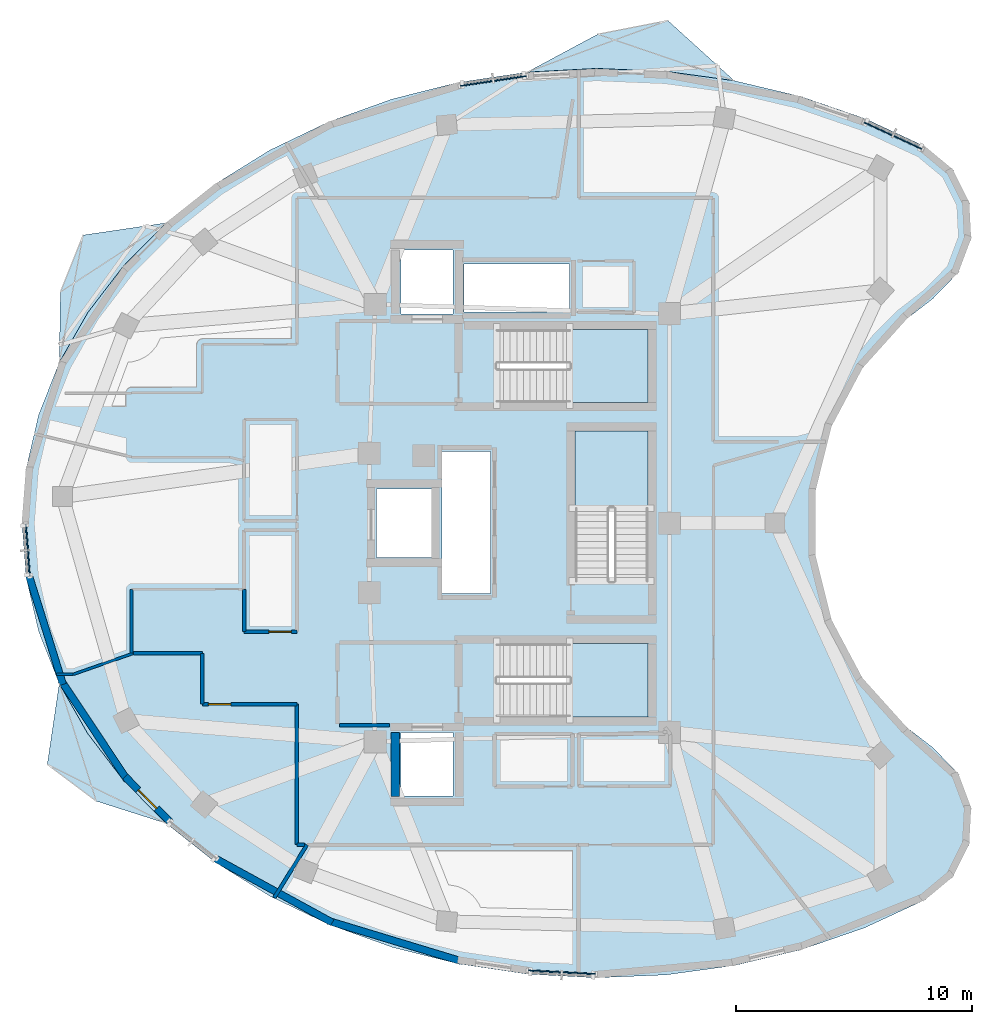
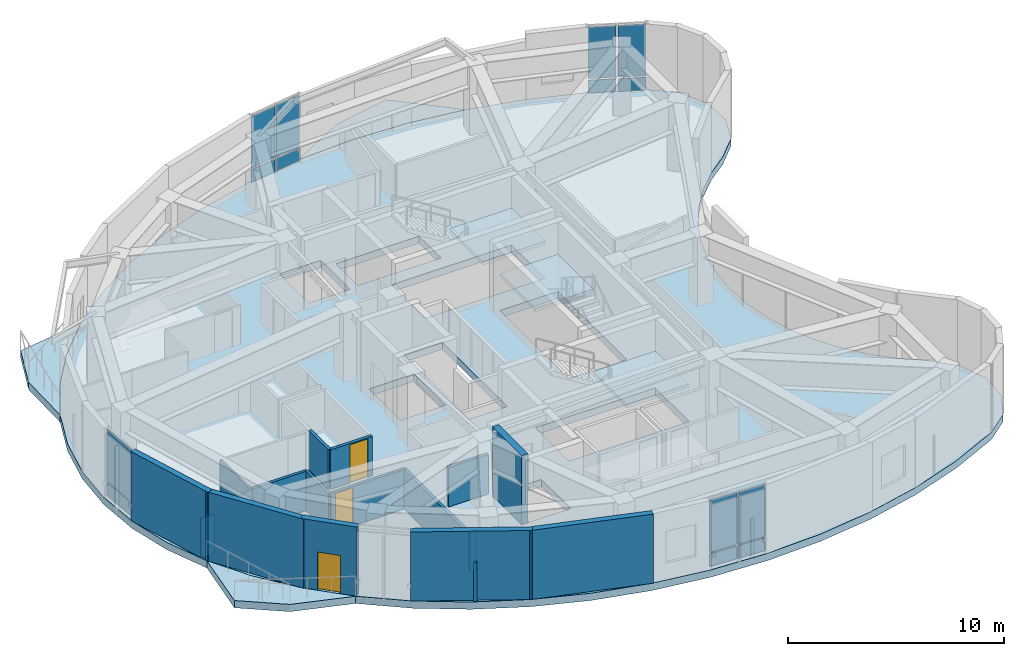
# One storey, part 5 of 12: 18 walls, 14 plates, 7 slabs, 3 doors, 3 openings, 7 elements without a shape of their own.
"""IFC4 building model written with IfcOpenShell, lengths in metres."""

import ifcopenshell
import ifcopenshell.guid

model = None  # the IFC model being written
_history = None  # IfcOwnerHistory: only IFC2X3 demands one
_inside = {}  # id of a spatial element -> (the spatial element, [elements in it])
_under = {}  # id of a project, library or spatial element -> (it, [spatial elements below it])
_declared = {}  # id of a project -> (the project, [libraries it declares])
_typed = {}  # id of a type object -> (the type object, [elements of that type])
_made_of = {}  # id of a material, layer set ... -> (it, [elements and type objects made of it])


def new_model(schema):
    """Start an empty IFC model of exactly this schema.

    Asked for "IFC4X3", IfcOpenShell would pick the latest addendum, in which some entities
    have other attributes; the version numbers below select the first issue.
    IFC2X3 requires an IfcOwnerHistory on every rooted entity: one is made here for all.
    """
    global model, _history
    if schema == "IFC4X3":
        model = ifcopenshell.file(schema_version=(4, 3, 0, 0))
    else:
        model = ifcopenshell.file(schema=schema)
    _inside.clear()
    _under.clear()
    _declared.clear()
    _typed.clear()
    _made_of.clear()
    _history = None
    if model.schema == "IFC2X3":
        org = make("IfcOrganization", Name="unknown")
        user = make(
            "IfcPersonAndOrganization",
            ThePerson=make("IfcPerson", FamilyName="unknown"),
            TheOrganization=org,
        )
        app = make(
            "IfcApplication",
            ApplicationDeveloper=org,
            Version="unknown",
            ApplicationFullName="unknown",
            ApplicationIdentifier="unknown",
        )
        _history = make(
            "IfcOwnerHistory",
            OwningUser=user,
            OwningApplication=app,
            ChangeAction="ADDED",
            CreationDate=0,
        )
    return model


def make(cls, **values):
    """One entity of the class cls with the attributes given. An attribute that is None is left unset."""
    return model.create_entity(
        cls, **{name: value for name, value in values.items() if value is not None}
    )


def rooted(cls, **values):
    """An entity with a GlobalId (a new one), such as an element, a storey or a relation."""
    return make(cls, GlobalId=ifcopenshell.guid.new(), OwnerHistory=_history, **values)


def si_unit(unit_type, name, prefix=None):
    """IfcSIUnit, for example si_unit("LENGTHUNIT", "METRE", prefix="MILLI")."""
    return make("IfcSIUnit", UnitType=unit_type, Prefix=prefix, Name=name)


def assignment(units):
    """IfcUnitAssignment: the units of a project."""
    return None if units is None else make("IfcUnitAssignment", Units=units)


def point(xyz):
    """IfcCartesianPoint."""
    return None if xyz is None else make("IfcCartesianPoint", Coordinates=xyz)


def direction(xyz):
    """IfcDirection."""
    return None if xyz is None else make("IfcDirection", DirectionRatios=xyz)


def frame(location, z_axis=None, x_axis=None):
    """IfcAxis2Placement3D, a coordinate frame: its origin and axes. An axis left out is left unset."""
    return make(
        "IfcAxis2Placement3D",
        Location=point(location),
        Axis=direction(z_axis),
        RefDirection=direction(x_axis),
    )


def frame_2d(location, x_axis=None):
    """IfcAxis2Placement2D, a coordinate frame in the plane: its origin and x axis."""
    return make(
        "IfcAxis2Placement2D", Location=point(location), RefDirection=direction(x_axis)
    )


def origin():
    """The frame at (0, 0, 0) with its axes left unset."""
    return frame((0.0, 0.0, 0.0))


def origin_2d():
    """The frame at (0, 0) in the plane with its x axis left unset."""
    return frame_2d((0.0, 0.0))


def place(relative_to, where):
    """IfcLocalPlacement: puts the frame where relative to a parent placement (None: the world)."""
    return make(
        "IfcLocalPlacement", PlacementRelTo=relative_to, RelativePlacement=where
    )


def context(
    kind, dimensions, precision=None, world=None, true_north=None, identifier=None
):
    """IfcGeometricRepresentationContext, for example the 3D "Model" context."""
    return make(
        "IfcGeometricRepresentationContext",
        ContextIdentifier=identifier,
        ContextType=kind,
        CoordinateSpaceDimension=dimensions,
        Precision=precision,
        WorldCoordinateSystem=world,
        TrueNorth=true_north,
    )


def subcontext(parent, identifier, kind, view, scale=None):
    """IfcGeometricRepresentationSubContext, for example "Body" below "Model"."""
    return make(
        "IfcGeometricRepresentationSubContext",
        ContextIdentifier=identifier,
        ContextType=kind,
        ParentContext=parent,
        TargetScale=scale,
        TargetView=view,
    )


def project(units=None, contexts=None):
    """IfcProject with its units and contexts."""
    return rooted(
        "IfcProject",
        Name="project",
        RepresentationContexts=contexts,
        UnitsInContext=assignment(units),
    )


def spatial(cls, under=None, at=None, **own):
    """A site, building, storey or space (cls), placed at a placement, below another one or the project."""
    s = rooted(cls, ObjectPlacement=at, **own)
    if under is not None:
        _under.setdefault(under.id(), (under, []))[1].append(s)
    return s


def polyline(points):
    """IfcPolyline through the points."""
    return make("IfcPolyline", Points=[point(p) for p in points])


def profile(cls, at=None, kind="AREA", **sizes):
    """A parametric profile (cls). Its sizes go by their IFC names, for example OverallWidth=200.0."""
    return make(cls, ProfileType=kind, Position=at, **sizes)


def rectangle(**sizes):
    """IfcRectangleProfileDef."""
    return profile("IfcRectangleProfileDef", **sizes)


def outline(outer, holes=None, kind="AREA"):
    """IfcArbitraryClosedProfileDef: a profile drawn as a closed curve; with holes, ...WithVoids."""
    if holes is None:
        return make("IfcArbitraryClosedProfileDef", ProfileType=kind, OuterCurve=outer)
    return make(
        "IfcArbitraryProfileDefWithVoids",
        ProfileType=kind,
        OuterCurve=outer,
        InnerCurves=holes,
    )


def extrude(swept, where, along, depth):
    """IfcExtrudedAreaSolid: the profile swept, set in the frame where, extruded along a direction by depth."""
    return make(
        "IfcExtrudedAreaSolid",
        SweptArea=swept,
        Position=where,
        ExtrudedDirection=direction(along),
        Depth=depth,
    )


def shape(context_of_items, identifier, shape_type, items):
    """IfcShapeRepresentation: the items that make up one representation, for example the "Body"."""
    return make(
        "IfcShapeRepresentation",
        ContextOfItems=context_of_items,
        RepresentationIdentifier=identifier,
        RepresentationType=shape_type,
        Items=items,
    )


def material(Name=None, Category=None):
    """IfcMaterial."""
    return make("IfcMaterial", Name=Name, Category=Category)


def layer(
    of_material, thickness, ventilated=None, Name=None, Category=None, Priority=None
):
    """IfcMaterialLayer: one layer of a wall or slab, of a material (None: an air gap)."""
    return make(
        "IfcMaterialLayer",
        Material=of_material,
        LayerThickness=thickness,
        IsVentilated=ventilated,
        Name=Name,
        Category=Category,
        Priority=Priority,
    )


def layer_set(layers, Name=None):
    """IfcMaterialLayerSet."""
    return make("IfcMaterialLayerSet", MaterialLayers=layers, LayerSetName=Name)


def made_of(thing, what):
    """Note that an element or type object is made of a material, layer set ...; save() writes the relation."""
    if what is not None:
        _made_of.setdefault(what.id(), (what, []))[1].append(thing)
    return thing


def type_object(cls, material=None, **own):
    """A type object (cls), such as IfcWallType, which elements share."""
    return made_of(rooted(cls, **own), material)


def element(
    cls,
    number,
    at=None,
    inside=None,
    cuts=None,
    type_object=None,
    material=None,
    context=None,
    identifier="Body",
    shape_type=None,
    held_by="IfcProductDefinitionShape",
    body=None,
    shapes=None,
    **own,
):
    """One element of the class cls, such as IfcWall. Its Tag is "e" and its number.

    at: its placement. inside: the storey or other place that contains it. cuts: it is an
    opening in that element (IfcRelVoidsElement). A single representation is given by context,
    identifier, shape_type and body (its items); several are given by shapes. held_by: the class
    of the entity that holds the representations. save() writes the other relations.
    """
    e = rooted(cls, Tag="e%d" % number, ObjectPlacement=at, **own)
    if body is not None:
        shapes = [shape(context, identifier, shape_type, body)]
    if shapes is not None:
        e.Representation = make(held_by, Representations=shapes)
    if inside is not None:
        _inside.setdefault(inside.id(), (inside, []))[1].append(e)
    if cuts is not None:
        rooted(
            "IfcRelVoidsElement", RelatingBuildingElement=cuts, RelatedOpeningElement=e
        )
    if type_object is not None:
        _typed.setdefault(type_object.id(), (type_object, []))[1].append(e)
    return made_of(e, material)


def fill(opening, filler):
    """IfcRelFillsElement: the door or window that sits in an opening."""
    return rooted(
        "IfcRelFillsElement",
        RelatingOpeningElement=opening,
        RelatedBuildingElement=filler,
    )


def aggregate(whole, parts):
    """IfcRelAggregates: a whole, such as a stair, and the parts it consists of."""
    return rooted("IfcRelAggregates", RelatingObject=whole, RelatedObjects=parts)


def save(model, path):
    """Write the relations noted so far, then the file.

    IfcRelAggregates (storeys below a building ...), IfcRelContainedInSpatialStructure (elements
    in a storey), IfcRelDefinesByType, IfcRelAssociatesMaterial and IfcRelDeclares: one each for
    every whole, place, type object, material and project.
    """
    for whole, parts in _under.values():
        aggregate(whole, parts)
    for where, things in _inside.values():
        rooted(
            "IfcRelContainedInSpatialStructure",
            RelatedElements=things,
            RelatingStructure=where,
        )
    for kind, things in _typed.values():
        rooted("IfcRelDefinesByType", RelatedObjects=things, RelatingType=kind)
    for what, things in _made_of.values():
        rooted("IfcRelAssociatesMaterial", RelatedObjects=things, RelatingMaterial=what)
    for by, libraries in _declared.values():
        rooted("IfcRelDeclares", RelatingContext=by, RelatedDefinitions=libraries)
    model.write(path)


model = new_model("IFC4")

# Units and contexts
model_context = context("Model", 3, precision=1e-05, world=origin(), true_north=direction((0.0, 1.0)))
body_context = subcontext(model_context, "Body", "Model", "MODEL_VIEW")
ifc_project = project(units=[si_unit("LENGTHUNIT", "METRE"), si_unit("AREAUNIT", "SQUARE_METRE"), si_unit("VOLUMEUNIT", "CUBIC_METRE"), si_unit("PLANEANGLEUNIT", "RADIAN"), si_unit("MASSUNIT", "GRAM", prefix="KILO")], contexts=[model_context])

# Site, building, storey
site_placement = place(None, origin())
site = spatial("IfcSite", under=ifc_project, at=site_placement, CompositionType="ELEMENT")
building_placement = place(site_placement, origin())
building = spatial("IfcBuilding", under=site, at=building_placement, Name="Korentha Bioscience Tower", CompositionType="ELEMENT")
storey_placement = place(building_placement, frame((0.0, 0.0, 286.800048828125)))
storey = spatial("IfcBuildingStorey", under=building, at=storey_placement, Name="L66", CompositionType="ELEMENT", Elevation=286.800048828125)

# Curtain wall, plates
ifc_material_1 = material(Name="Thermally Broken Aluminium Frame", Category="aluminium")
ifc_layer_1 = layer(ifc_material_1, 0.219970703125, Name="Thermally Broken Aluminium Frame")
ifc_layer_set_1 = layer_set([ifc_layer_1], Name="Thermally Broken Aluminium Frame (CW-T2)")
curtain_wall_type = type_object("IfcCurtainWallType", Name="Solar-Screened Lab Unitised Curtain Wall CW-T2", PredefinedType="USERDEFINED", material=ifc_layer_set_1)
curtain_wall_1_placement = place(storey_placement, origin())
curtain_wall_1 = element("IfcCurtainWall", 1, at=curtain_wall_1_placement, inside=storey, type_object=curtain_wall_type, Name="L66 Curtain Wall 01", ObjectType="UNITISED", PredefinedType="USERDEFINED")
ifc_material_2 = material(Name="Triple-Glazed Low-E Insulated Glass", Category="glass")
ifc_layer_2 = layer(ifc_material_2, 0.0439453125, Name="Triple-Glazed Low-E Insulated Glass")
ifc_layer_set_2 = layer_set([ifc_layer_2], Name="Triple-Glazed Low-E Insulated Glass (GL-44)")
plate_type = type_object("IfcPlateType", Name="Glazed Panel 44mm", PredefinedType="CURTAIN_PANEL", material=ifc_layer_set_2)
plate_1_placement = place(storey_placement, frame((47.63330078125, 43.09521484375, 0.08984375), z_axis=(0.0, 0.0, 1.0), x_axis=(-0.907204022278, 0.420690934016, 0.0)))
plate_1 = element("IfcPlate", 2, at=plate_1_placement, type_object=plate_type, Name="CW-L66-01 Bay 1 Glazed Panel 1", PredefinedType="CURTAIN_PANEL", context=body_context, shape_type="SweptSolid", body=[
    extrude(rectangle(XDim=1.301513671875, YDim=0.0439453125, at=origin_2d()), origin(), (0.0, 0.0, 1.0), 0.715087890625),
])
plate_2_placement = place(storey_placement, frame((47.63330078125, 43.09521484375, 0.89501953125), z_axis=(0.0, 0.0, 1.0), x_axis=(-0.907204022278, 0.420690934016, 0.0)))
plate_2 = element("IfcPlate", 3, at=plate_2_placement, type_object=plate_type, Name="CW-L66-01 Bay 1 Glazed Panel 2", PredefinedType="CURTAIN_PANEL", context=body_context, shape_type="SweptSolid", body=[
    extrude(rectangle(XDim=1.301513671875, YDim=0.0439453125, at=origin_2d()), origin(), (0.0, 0.0, 1.0), 2.9150390625),
])
plate_3_placement = place(storey_placement, frame((46.37109375, 43.6806640625, 0.08984375), z_axis=(0.0, 0.0, 1.0), x_axis=(-0.907204022278, 0.420690934016, 0.0)))
plate_3 = element("IfcPlate", 4, at=plate_3_placement, type_object=plate_type, Name="CW-L66-01 Bay 2 Glazed Panel 1", PredefinedType="CURTAIN_PANEL", context=body_context, shape_type="SweptSolid", body=[
    extrude(rectangle(XDim=1.301513671875, YDim=0.0439453125, at=origin_2d()), origin(), (0.0, 0.0, 1.0), 0.715087890625),
])
plate_4_placement = place(storey_placement, frame((46.37109375, 43.6806640625, 0.89501953125), z_axis=(0.0, 0.0, 1.0), x_axis=(-0.907204022278, 0.420690934016, 0.0)))
plate_4 = element("IfcPlate", 5, at=plate_4_placement, type_object=plate_type, Name="CW-L66-01 Bay 2 Glazed Panel 2", PredefinedType="CURTAIN_PANEL", context=body_context, shape_type="SweptSolid", body=[
    extrude(rectangle(XDim=1.301513671875, YDim=0.0439453125, at=origin_2d()), origin(), (0.0, 0.0, 1.0), 2.9150390625),
])
aggregate(curtain_wall_1, [plate_1, plate_2, plate_3, plate_4])

curtain_wall_2_placement = place(storey_placement, origin())
curtain_wall_2 = element("IfcCurtainWall", 6, at=curtain_wall_2_placement, inside=storey, type_object=curtain_wall_type, Name="L66 Curtain Wall 07", ObjectType="UNITISED", PredefinedType="USERDEFINED")
plate_5_placement = place(storey_placement, frame((30.817138671875, 45.81005859375, 0.08984375), z_axis=(0.0, 0.0, 1.0), x_axis=(-0.98900659611, -0.147871406471, 0.0)))
plate_5 = element("IfcPlate", 7, at=plate_5_placement, type_object=plate_type, Name="CW-L66-07 Bay 1 Glazed Panel 1", PredefinedType="CURTAIN_PANEL", context=body_context, shape_type="SweptSolid", body=[
    extrude(rectangle(XDim=1.3662109375, YDim=0.0439453125, at=origin_2d()), origin(), (0.0, 0.0, 1.0), 0.715087890625),
])
plate_6_placement = place(storey_placement, frame((30.817138671875, 45.81005859375, 0.89501953125), z_axis=(0.0, 0.0, 1.0), x_axis=(-0.98900659611, -0.147871406471, 0.0)))
plate_6 = element("IfcPlate", 8, at=plate_6_placement, type_object=plate_type, Name="CW-L66-07 Bay 1 Glazed Panel 2", PredefinedType="CURTAIN_PANEL", context=body_context, shape_type="SweptSolid", body=[
    extrude(rectangle(XDim=1.3662109375, YDim=0.0439453125, at=origin_2d()), origin(), (0.0, 0.0, 1.0), 2.9150390625),
])
plate_7_placement = place(storey_placement, frame((29.376953125, 45.5947265625, 0.08984375), z_axis=(0.0, 0.0, 1.0), x_axis=(-0.98900659611, -0.147871406471, 0.0)))
plate_7 = element("IfcPlate", 9, at=plate_7_placement, type_object=plate_type, Name="CW-L66-07 Bay 2 Glazed Panel 1", PredefinedType="CURTAIN_PANEL", context=body_context, shape_type="SweptSolid", body=[
    extrude(rectangle(XDim=1.3662109375, YDim=0.0439453125, at=origin_2d()), origin(), (0.0, 0.0, 1.0), 0.715087890625),
])
plate_8_placement = place(storey_placement, frame((29.376953125, 45.5947265625, 0.89501953125), z_axis=(0.0, 0.0, 1.0), x_axis=(-0.98900659611, -0.147871406471, 0.0)))
plate_8 = element("IfcPlate", 10, at=plate_8_placement, type_object=plate_type, Name="CW-L66-07 Bay 2 Glazed Panel 2", PredefinedType="CURTAIN_PANEL", context=body_context, shape_type="SweptSolid", body=[
    extrude(rectangle(XDim=1.3662109375, YDim=0.0439453125, at=origin_2d()), origin(), (0.0, 0.0, 1.0), 2.9150390625),
])
aggregate(curtain_wall_2, [plate_5, plate_6, plate_7, plate_8])

curtain_wall_3_placement = place(storey_placement, origin())
curtain_wall_3 = element("IfcCurtainWall", 11, at=curtain_wall_3_placement, inside=storey, type_object=curtain_wall_type, Name="L66 Curtain Wall 19", ObjectType="UNITISED", PredefinedType="USERDEFINED")
plate_9_placement = place(storey_placement, frame((10.406005859375, 25.858642578125, 0.08984375), z_axis=(0.0, 0.0, 1.0), x_axis=(0.076447323916, -0.997073621487, 0.0)))
plate_9 = element("IfcPlate", 12, at=plate_9_placement, type_object=plate_type, Name="CW-L66-19 Bay 1 Glazed Panel 1", PredefinedType="CURTAIN_PANEL", context=body_context, shape_type="SweptSolid", body=[
    extrude(rectangle(XDim=2.2138671875, YDim=0.0439453125, at=origin_2d()), origin(), (0.0, 0.0, 1.0), 0.715087890625),
])
plate_10_placement = place(storey_placement, frame((10.406005859375, 25.858642578125, 0.89501953125), z_axis=(0.0, 0.0, 1.0), x_axis=(0.076447323916, -0.997073621487, 0.0)))
plate_10 = element("IfcPlate", 13, at=plate_10_placement, type_object=plate_type, Name="CW-L66-19 Bay 1 Glazed Panel 2", PredefinedType="CURTAIN_PANEL", context=body_context, shape_type="SweptSolid", body=[
    extrude(rectangle(XDim=2.2138671875, YDim=0.0439453125, at=origin_2d()), origin(), (0.0, 0.0, 1.0), 2.9150390625),
])
aggregate(curtain_wall_3, [plate_9, plate_10])

curtain_wall_4_placement = place(storey_placement, origin())
curtain_wall_4 = element("IfcCurtainWall", 14, at=curtain_wall_4_placement, inside=storey, type_object=curtain_wall_type, Name="L66 Curtain Wall 31", ObjectType="UNITISED", PredefinedType="USERDEFINED")
plate_11_placement = place(storey_placement, frame((32.263427734375, 8.043701171875, 0.08984375), z_axis=(0.0, 0.0, 1.0), x_axis=(0.998579324855, -0.053285382345, 0.0)))
plate_11 = element("IfcPlate", 15, at=plate_11_placement, type_object=plate_type, Name="CW-L66-31 Bay 1 Glazed Panel 1", PredefinedType="CURTAIN_PANEL", context=body_context, shape_type="SweptSolid", body=[
    extrude(rectangle(XDim=1.374755859375, YDim=0.0439453125, at=origin_2d()), origin(), (0.0, 0.0, 1.0), 0.715087890625),
])
plate_12_placement = place(storey_placement, frame((32.263427734375, 8.043701171875, 0.89501953125), z_axis=(0.0, 0.0, 1.0), x_axis=(0.998579324855, -0.053285382345, 0.0)))
plate_12 = element("IfcPlate", 16, at=plate_12_placement, type_object=plate_type, Name="CW-L66-31 Bay 1 Glazed Panel 2", PredefinedType="CURTAIN_PANEL", context=body_context, shape_type="SweptSolid", body=[
    extrude(rectangle(XDim=1.374755859375, YDim=0.0439453125, at=origin_2d()), origin(), (0.0, 0.0, 1.0), 2.9150390625),
])
plate_13_placement = place(storey_placement, frame((33.726318359375, 7.9658203125, 0.08984375), z_axis=(0.0, 0.0, 1.0), x_axis=(0.998579324855, -0.053285382345, 0.0)))
plate_13 = element("IfcPlate", 17, at=plate_13_placement, type_object=plate_type, Name="CW-L66-31 Bay 2 Glazed Panel 1", PredefinedType="CURTAIN_PANEL", context=body_context, shape_type="SweptSolid", body=[
    extrude(rectangle(XDim=1.374755859375, YDim=0.0439453125, at=origin_2d()), origin(), (0.0, 0.0, 1.0), 0.715087890625),
])
plate_14_placement = place(storey_placement, frame((33.726318359375, 7.9658203125, 0.89501953125), z_axis=(0.0, 0.0, 1.0), x_axis=(0.998579324855, -0.053285382345, 0.0)))
plate_14 = element("IfcPlate", 18, at=plate_14_placement, type_object=plate_type, Name="CW-L66-31 Bay 2 Glazed Panel 2", PredefinedType="CURTAIN_PANEL", context=body_context, shape_type="SweptSolid", body=[
    extrude(rectangle(XDim=1.374755859375, YDim=0.0439453125, at=origin_2d()), origin(), (0.0, 0.0, 1.0), 2.9150390625),
])
aggregate(curtain_wall_4, [plate_11, plate_12, plate_13, plate_14])

# Slabs
ifc_material_3 = material(Name="Concrete C50", Category="concrete")
ifc_layer_3 = layer(ifc_material_3, 0.409912109375, Name="Concrete C50")
ifc_layer_set_3 = layer_set([ifc_layer_3], Name="Concrete C50 (BS-410)")
slab_type_1 = type_object("IfcSlabType", Name="Heavy Sawtooth Sun-Ledge Balcony Slab 410", PredefinedType="USERDEFINED", material=ifc_layer_set_3)
slab_1_placement = place(storey_placement, frame((0.0, 0.0, -0.41015625)))
element("IfcSlab", 19, at=slab_1_placement, inside=storey, type_object=slab_type_1, Name="L66 Sun-Ledge Balcony 01", ObjectType="BALCONY", PredefinedType="USERDEFINED", context=body_context, shape_type="SweptSolid", body=[
    extrude(outline(polyline([(31.5185546875, 46.07666015625), (34.4541015625, 46.2333984375), (37.392333984375, 46.112548828125), (40.291015625, 45.715576171875), (37.480712890625, 48.2607421875), (34.513916015625, 47.68212890625), (31.5185546875, 46.07666015625)])), origin(), (0.0, 0.0, 1.0), 0.41015625),
])
slab_2_placement = place(storey_placement, frame((0.0, 0.0, -0.41015625)))
element("IfcSlab", 20, at=slab_2_placement, inside=storey, type_object=slab_type_1, Name="L66 Sun-Ledge Balcony 02", ObjectType="BALCONY", PredefinedType="USERDEFINED", context=body_context, shape_type="SweptSolid", body=[
    extrude(outline(polyline([(11.733642578125, 33.788330078125), (12.935546875, 35.897705078125), (14.450927734375, 37.87890625), (16.258056640625, 39.702880859375), (12.743408203125, 39.185302734375), (11.783935546875, 36.77880859375), (11.733642578125, 33.788330078125)])), origin(), (0.0, 0.0, 1.0), 0.41015625),
])
slab_3_placement = place(storey_placement, frame((0.0, 0.0, -0.41015625)))
element("IfcSlab", 21, at=slab_3_placement, inside=storey, type_object=slab_type_1, Name="L66 Sun-Ledge Balcony 03", ObjectType="BALCONY", PredefinedType="USERDEFINED", context=body_context, shape_type="SweptSolid", body=[
    extrude(outline(polyline([(16.258056640625, 14.297119140625), (14.450927734375, 16.12109375), (12.935546875, 18.102294921875), (11.733642578125, 20.211669921875), (11.227783203125, 16.7958984375), (13.29931640625, 15.239990234375), (16.258056640625, 14.297119140625)])), origin(), (0.0, 0.0, 1.0), 0.41015625),
])
ifc_material_4 = material(Name="Concrete C65", Category="concrete")
ifc_layer_4 = layer(ifc_material_4, 0.409912109375, Name="Concrete C65")
ifc_layer_set_4 = layer_set([ifc_layer_4], Name="Concrete C65 (SL-L410)")
slab_type_2 = type_object("IfcSlabType", Name="Heavy Vibration-Controlled Lab Slab 410", PredefinedType="FLOOR", material=ifc_layer_set_4)
slab_4_placement = place(storey_placement, frame((0.0, 0.0, -0.41015625)))
element("IfcSlab", 22, at=slab_4_placement, inside=storey, type_object=slab_type_2, Name="L66 Tower Structural Floor Slab", PredefinedType="FLOOR", context=body_context, shape_type="SweptSolid", body=[
    extrude(outline(polyline([(48.33642578125, 42.94580078125), (45.802734375, 44.12060546875), (43.10791015625, 45.04833984375), (40.291015625, 45.715576171875), (37.392333984375, 46.112548828125), (34.4541015625, 46.2333984375), (31.5185546875, 46.07666015625), (28.628173828125, 45.64453125), (25.82470703125, 44.943115234375), (23.1484375, 43.982666015625), (20.63818359375, 42.77685546875), (18.330322265625, 41.343505859375), (16.258056640625, 39.702880859375), (14.450927734375, 37.87890625), (12.935546875, 35.897705078125), (11.733642578125, 33.788330078125), (10.862548828125, 31.580810546875), (10.334716796875, 29.306884765625), (10.157958984375, 27.0), (10.334716796875, 24.693115234375), (10.862548828125, 22.419189453125), (11.733642578125, 20.211669921875), (12.935546875, 18.102294921875), (14.450927734375, 16.12109375), (16.258056640625, 14.297119140625), (18.330322265625, 12.656494140625), (20.63818359375, 11.22314453125), (23.1484375, 10.017333984375), (25.82470703125, 9.056884765625), (28.628173828125, 8.35546875), (31.5185546875, 7.92333984375), (34.4541015625, 7.7666015625), (37.392333984375, 7.887451171875), (40.291015625, 8.284423828125), (43.10791015625, 8.95166015625), (45.802734375, 9.87939453125), (48.33642578125, 11.05419921875), (49.524169921875, 12.041259765625), (50.216796875, 13.421142578125), (50.298828125, 14.96337890625), (49.756103515625, 16.408935546875), (48.6796875, 17.51611328125), (47.57177734375, 18.366455078125), (46.575439453125, 19.345458984375), (45.7060546875, 20.438720703125), (44.976318359375, 21.62939453125), (44.39697265625, 22.900390625), (43.97705078125, 24.232421875), (43.722412109375, 25.60595703125), (43.63720703125, 27.0), (43.722412109375, 28.39404296875), (43.97705078125, 29.767578125), (44.39697265625, 31.099609375), (44.976318359375, 32.37060546875), (45.7060546875, 33.561279296875), (46.575439453125, 34.654541015625), (47.57177734375, 35.633544921875), (48.6796875, 36.48388671875), (49.756103515625, 37.591064453125), (50.298828125, 39.03662109375), (50.216796875, 40.578857421875), (49.524169921875, 41.958740234375), (48.33642578125, 42.94580078125)]), holes=[polyline([(30.25, 32.10009765625), (36.64990234375, 32.10009765625), (36.64990234375, 35.199951171875), (30.25, 35.199951171875), (30.25, 32.10009765625)]), polyline([(30.25, 18.800048828125), (36.64990234375, 18.800048828125), (36.64990234375, 21.89990234375), (30.25, 21.89990234375), (30.25, 18.800048828125)]), polyline([(36.64990234375, 24.550048828125), (36.64990234375, 30.89990234375), (33.550048828125, 30.89990234375), (33.550048828125, 24.550048828125), (36.64990234375, 24.550048828125)]), polyline([(27.929931640625, 24.030029296875), (29.969970703125, 24.030029296875), (29.969970703125, 30.02001953125), (27.929931640625, 30.02001953125), (27.929931640625, 24.030029296875)]), polyline([(28.860107421875, 35.93994140625), (33.31005859375, 35.93994140625), (33.31005859375, 37.9599609375), (28.860107421875, 37.9599609375), (28.860107421875, 35.93994140625)]), polyline([(26.199951171875, 15.449951171875), (28.39990234375, 15.449951171875), (28.39990234375, 18.14990234375), (26.199951171875, 18.14990234375), (26.199951171875, 15.449951171875)]), polyline([(26.199951171875, 35.85009765625), (28.39990234375, 35.85009765625), (28.39990234375, 38.550048828125), (26.199951171875, 38.550048828125), (26.199951171875, 35.85009765625)]), polyline([(25.14990234375, 25.550048828125), (27.550048828125, 25.550048828125), (27.550048828125, 28.449951171875), (25.14990234375, 28.449951171875), (25.14990234375, 25.550048828125)])]), origin(), (0.0, 0.0, 1.0), 0.41015625),
])

# Stair, slab
ifc_material_5 = material(Name="Precast Concrete C50", Category="concrete")
stair_type = type_object("IfcStairType", Name="Core Exit Dog-Leg Stair 1450", PredefinedType="HALF_TURN_STAIR", material=ifc_material_5)
stair_1_placement = place(storey_placement, origin())
stair_1 = element("IfcStair", 23, at=stair_1_placement, inside=storey, type_object=stair_type, Name="L66 Tower North Pressurized Exit Stair ST-1", PredefinedType="HALF_TURN_STAIR")
ifc_layer_5 = layer(ifc_material_3, 0.199951171875, Name="Concrete C50")
ifc_layer_set_5 = layer_set([ifc_layer_5], Name="Concrete C50 (SL-LND)")
slab_type_3 = type_object("IfcSlabType", Name="Landing Slab 200", PredefinedType="LANDING", material=ifc_layer_set_5)
slab_5_placement = place(storey_placement, frame((0.0, 0.0, 1.89990234375)))
slab_5 = element("IfcSlab", 24, at=slab_5_placement, type_object=slab_type_3, Name="ST-1 landing 1", PredefinedType="LANDING", context=body_context, shape_type="SweptSolid", body=[
    extrude(outline(polyline([(33.330078125, 32.10009765625), (36.64990234375, 32.10009765625), (36.64990234375, 35.199951171875), (33.330078125, 35.199951171875), (33.330078125, 32.10009765625)])), origin(), (0.0, 0.0, 1.0), 0.199951171875),
])
aggregate(stair_1, [slab_5])

stair_2_placement = place(storey_placement, origin())
stair_2 = element("IfcStair", 25, at=stair_2_placement, inside=storey, type_object=stair_type, Name="L66 Tower South Pressurized Exit Stair ST-2", PredefinedType="HALF_TURN_STAIR")
slab_6_placement = place(storey_placement, frame((0.0, 0.0, 1.89990234375)))
slab_6 = element("IfcSlab", 26, at=slab_6_placement, type_object=slab_type_3, Name="ST-2 landing 1", PredefinedType="LANDING", context=body_context, shape_type="SweptSolid", body=[
    extrude(outline(polyline([(33.330078125, 18.800048828125), (36.64990234375, 18.800048828125), (36.64990234375, 21.89990234375), (33.330078125, 21.89990234375), (33.330078125, 18.800048828125)])), origin(), (0.0, 0.0, 1.0), 0.199951171875),
])
aggregate(stair_2, [slab_6])

stair_3_placement = place(storey_placement, origin())
stair_3 = element("IfcStair", 27, at=stair_3_placement, inside=storey, type_object=stair_type, Name="L66 Tower Central Pressurized Exit Stair ST-3", PredefinedType="HALF_TURN_STAIR")
slab_7_placement = place(storey_placement, frame((0.0, 0.0, 1.89990234375)))
slab_7 = element("IfcSlab", 28, at=slab_7_placement, type_object=slab_type_3, Name="ST-3 landing 1", PredefinedType="LANDING", context=body_context, shape_type="SweptSolid", body=[
    extrude(outline(polyline([(36.64990234375, 27.6298828125), (36.64990234375, 30.89990234375), (33.550048828125, 30.89990234375), (33.550048828125, 27.6298828125), (36.64990234375, 27.6298828125)])), origin(), (0.0, 0.0, 1.0), 0.199951171875),
])
aggregate(stair_3, [slab_7])

# Wall, opening, door
ifc_material_6 = material(Name="Double-Stud Acoustic Gypsum", Category="gypsum")
ifc_layer_6 = layer(ifc_material_6, 0.14990234375, Name="Double-Stud Acoustic Gypsum")
ifc_layer_set_6 = layer_set([ifc_layer_6], Name="Double-Stud Acoustic Gypsum (IW-L150)")
wall_type_1 = type_object("IfcWallType", Name="Acoustic Laboratory Partition Wall 150", PredefinedType="PARTITIONING", material=ifc_layer_set_6)
wall_1_placement = place(storey_placement, frame((17.800048828125, 19.340087890625, 0.0), z_axis=(0.0, 0.0, 1.0), x_axis=(1.0, 0.0, 0.0)))
wall_1 = element("IfcWall", 29, at=wall_1_placement, inside=storey, type_object=wall_type_1, Name="L66 Staff Pantry Kitchenette 02 Entrance Wall", PredefinedType="PARTITIONING", context=body_context, shape_type="SweptSolid", body=[
    extrude(rectangle(XDim=3.989990234375, YDim=0.14990234375, at=frame_2d((1.9951171875, 0.0))), origin(), (0.0, 0.0, 1.0), 2.219970703125),
])
opening_1_placement = place(wall_1_placement, frame((0.239990234375, 0.0, 0.0)))
opening_1 = element("IfcOpeningElement", 30, at=opening_1_placement, cuts=wall_1, Name="Opening ID-10R", PredefinedType="OPENING", context=body_context, shape_type="SweptSolid", body=[
    extrude(rectangle(XDim=0.949951171875, YDim=2.14990234375, at=frame_2d((0.47509765625, 1.074951171875))), frame((0.0, 0.08984375, 0.0), z_axis=(0.0, -1.0, 0.0), x_axis=(1.0, 0.0, 0.0)), (0.0, 0.0, 1.0), 0.1796875),
])
ifc_material_7 = material(Name="Phenolic Laminate Timber Core", Category="wood")
door_type_1 = type_object("IfcDoorType", Name="Laboratory Single Leaf Door 950x2150 Right", OperationType="SINGLE_SWING_RIGHT", PredefinedType="DOOR", material=ifc_material_7)
door_1_placement = place(opening_1_placement, origin())
door_1 = element("IfcDoor", 31, at=door_1_placement, inside=storey, type_object=door_type_1, Name="L66 Staff Pantry Kitchenette 02 Door", OperationType="SINGLE_SWING_RIGHT", OverallHeight=2.14990234375, OverallWidth=0.949951171875, PredefinedType="DOOR", context=body_context, shape_type="SweptSolid", body=[
    extrude(rectangle(XDim=0.949951171875, YDim=2.14990234375, at=frame_2d((0.47509765625, 1.074951171875))), frame((0.0, 0.02490234375, 0.0), z_axis=(0.0, -1.0, 0.0), x_axis=(1.0, 0.0, 0.0)), (0.0, 0.0, 1.0), 0.050048828125),
])
fill(opening_1, door_1)

# Walls
wall_2_placement = place(storey_placement, frame((14.871337890625, 21.489990234375, 0.0), z_axis=(0.0, 0.0, 1.0), x_axis=(1.0, 0.0, 0.0)))
element("IfcWall", 32, at=wall_2_placement, inside=storey, type_object=wall_type_1, Name="L66 Interior Partition 035", PredefinedType="PARTITIONING", context=body_context, shape_type="SweptSolid", body=[
    extrude(rectangle(XDim=2.918701171875, YDim=0.14990234375, at=frame_2d((1.45947265625, 0.0))), origin(), (0.0, 0.0, 1.0), 2.219970703125),
])
wall_3_placement = place(storey_placement, frame((17.7900390625, 21.489990234375, 0.0), z_axis=(0.0, 0.0, 1.0), x_axis=(0.0, -1.0, 0.0)))
element("IfcWall", 33, at=wall_3_placement, inside=storey, type_object=wall_type_1, Name="L66 Interior Partition 036", PredefinedType="PARTITIONING", context=body_context, shape_type="SweptSolid", body=[
    extrude(rectangle(XDim=2.139892578125, YDim=0.14990234375, at=frame_2d((1.06982421875, 0.0))), origin(), (0.0, 0.0, 1.0), 2.219970703125),
])
wall_4_placement = place(storey_placement, frame((21.7900390625, 19.340087890625, 0.0), z_axis=(0.0, 0.0, 1.0), x_axis=(0.0, -1.0, 0.0)))
element("IfcWall", 34, at=wall_4_placement, inside=storey, type_object=wall_type_1, Name="L66 Interior Partition 037", PredefinedType="PARTITIONING", context=body_context, shape_type="SweptSolid", body=[
    extrude(rectangle(XDim=5.940185546875, YDim=0.14990234375, at=frame_2d((2.97021484375, 0.0))), origin(), (0.0, 0.0, 1.0), 2.219970703125),
])
wall_5_placement = place(storey_placement, frame((21.800048828125, 13.389892578125, 0.0), z_axis=(0.0, 0.0, 1.0), x_axis=(1.0, 0.0, 0.0)))
element("IfcWall", 35, at=wall_5_placement, inside=storey, type_object=wall_type_1, Name="L66 Interior Partition 038", PredefinedType="PARTITIONING", context=body_context, shape_type="SweptSolid", body=[
    extrude(rectangle(XDim=0.318603515625, YDim=0.14990234375, at=frame_2d((0.1591796875, 0.0))), origin(), (0.0, 0.0, 1.0), 2.219970703125),
])
wall_6_placement = place(storey_placement, frame((22.21044921875, 13.389892578125, 0.0), z_axis=(0.0, 0.0, 1.0), x_axis=(-0.525388006785, -0.850862763509, 0.0)))
element("IfcWall", 36, at=wall_6_placement, inside=storey, type_object=wall_type_1, Name="L66 Interior Partition 039", PredefinedType="PARTITIONING", context=body_context, shape_type="SweptSolid", body=[
    extrude(rectangle(XDim=2.626953125, YDim=0.14990234375, at=frame_2d((1.3134765625, 0.0))), origin(), (0.0, 0.0, 1.0), 2.219970703125),
])
ifc_material_8 = material(Name="Fire-Rated Framed Glass", Category="glass")
ifc_layer_7 = layer(ifc_material_8, 0.110107421875, Name="Fire-Rated Framed Glass")
ifc_layer_set_7 = layer_set([ifc_layer_7], Name="Fire-Rated Framed Glass (IW-G110)")
wall_type_2 = type_object("IfcWallType", Name="Demountable Glazed Office Partition 110", PredefinedType="MOVABLE", material=ifc_layer_set_7)
wall_7_placement = place(storey_placement, frame((14.7900390625, 24.199951171875, 0.0), z_axis=(0.0, 0.0, 1.0), x_axis=(0.0, -1.0, 0.0)))
element("IfcWall", 37, at=wall_7_placement, inside=storey, type_object=wall_type_2, Name="L66 Interior Partition 032", PredefinedType="MOVABLE", context=body_context, shape_type="SweptSolid", body=[
    extrude(rectangle(XDim=2.699951171875, YDim=0.110107421875, at=frame_2d((1.35009765625, 0.0))), origin(), (0.0, 0.0, 1.0), 2.219970703125),
])
wall_8_placement = place(storey_placement, frame((14.859375, 21.489990234375, 0.0), z_axis=(0.0, 0.0, 1.0), x_axis=(-0.943913543367, -0.330192705321, 0.0)))
element("IfcWall", 38, at=wall_8_placement, inside=storey, type_object=wall_type_2, Name="L66 Interior Partition 033", PredefinedType="MOVABLE", context=body_context, shape_type="SweptSolid", body=[
    extrude(rectangle(XDim=2.689208984375, YDim=0.110107421875, at=frame_2d((1.3447265625, 0.0))), origin(), (0.0, 0.0, 1.0), 2.219970703125),
])
wall_9_placement = place(storey_placement, frame((12.321044921875, 20.60205078125, 0.0), z_axis=(0.0, 0.0, 1.0), x_axis=(-1.0, 0.0, 0.0)))
element("IfcWall", 39, at=wall_9_placement, inside=storey, type_object=wall_type_2, Name="L66 Interior Partition 034", PredefinedType="MOVABLE", context=body_context, shape_type="SweptSolid", body=[
    extrude(rectangle(XDim=0.69970703125, YDim=0.110107421875, at=frame_2d((0.349853515625, 0.0))), origin(), (0.0, 0.0, 1.0), 2.219970703125),
])
ifc_material_9 = material(Name="Gypsum-Clad Steel Stud", Category="steel")
ifc_layer_8 = layer(ifc_material_9, 0.159912109375, Name="Gypsum-Clad Steel Stud")
ifc_layer_set_8 = layer_set([ifc_layer_8], Name="Gypsum-Clad Steel Stud (IW-C160)")
wall_type_3 = type_object("IfcWallType", Name="Fire-Rated Corridor Partition Wall 160", PredefinedType="PARTITIONING", material=ifc_layer_set_8)
wall_10_placement = place(storey_placement, frame((23.580078125, 18.449951171875, 0.0), z_axis=(0.0, 0.0, 1.0), x_axis=(1.0, 0.0, 0.0)))
element("IfcWall", 40, at=wall_10_placement, inside=storey, type_object=wall_type_3, Name="L66 Firefighting Lobby Return Wall FFLS-S", PredefinedType="PARTITIONING", context=body_context, shape_type="SweptSolid", body=[
    extrude(rectangle(XDim=2.119873046875, YDim=0.159912109375, at=frame_2d((1.06005859375, 0.0))), origin(), (0.0, 0.0, 1.0), 2.219970703125),
])

# Wall, opening, door
wall_11_placement = place(storey_placement, frame((21.7900390625, 22.409912109375, 0.0), z_axis=(0.0, 0.0, 1.0), x_axis=(-1.0, 0.0, 0.0)))
wall_11 = element("IfcWall", 41, at=wall_11_placement, inside=storey, type_object=wall_type_3, Name="L66 Reclaimed Bank-2 Electrical Switchgear Store Entrance Wall", PredefinedType="PARTITIONING", context=body_context, shape_type="SweptSolid", body=[
    extrude(rectangle(XDim=2.22998046875, YDim=0.159912109375, at=frame_2d((1.114990234375, 0.0))), origin(), (0.0, 0.0, 1.0), 2.219970703125),
])
opening_2_placement = place(wall_11_placement, frame((0.239990234375, 0.0, 0.0)))
opening_2 = element("IfcOpeningElement", 42, at=opening_2_placement, cuts=wall_11, Name="Opening ID-10L", PredefinedType="OPENING", context=body_context, shape_type="SweptSolid", body=[
    extrude(rectangle(XDim=0.949951171875, YDim=2.14990234375, at=frame_2d((0.47509765625, 1.074951171875))), frame((0.0, 0.0947265625, 0.0), z_axis=(0.0, -1.0, 0.0), x_axis=(1.0, 0.0, 0.0)), (0.0, 0.0, 1.0), 0.189697265625),
])
door_type_2 = type_object("IfcDoorType", Name="Laboratory Single Leaf Door 950x2150 Left", OperationType="SINGLE_SWING_LEFT", PredefinedType="DOOR", material=ifc_material_7)
door_2_placement = place(opening_2_placement, origin())
door_2 = element("IfcDoor", 43, at=door_2_placement, inside=storey, type_object=door_type_2, Name="L66 Reclaimed Bank-2 Electrical Switchgear Store Door", OperationType="SINGLE_SWING_LEFT", OverallHeight=2.14990234375, OverallWidth=0.949951171875, PredefinedType="DOOR", context=body_context, shape_type="SweptSolid", body=[
    extrude(rectangle(XDim=0.949951171875, YDim=2.14990234375, at=frame_2d((0.47509765625, 1.074951171875))), frame((0.0, 0.02490234375, 0.0), z_axis=(0.0, -1.0, 0.0), x_axis=(1.0, 0.0, 0.0)), (0.0, 0.0, 1.0), 0.050048828125),
])
fill(opening_2, door_2)

# Wall
wall_12_placement = place(storey_placement, frame((19.56005859375, 22.409912109375, 0.0), z_axis=(0.0, 0.0, 1.0), x_axis=(0.0, 1.0, 0.0)))
element("IfcWall", 44, at=wall_12_placement, inside=storey, type_object=wall_type_3, Name="L66 Interior Partition 020", PredefinedType="PARTITIONING", context=body_context, shape_type="SweptSolid", body=[
    extrude(rectangle(XDim=1.7900390625, YDim=0.159912109375, at=frame_2d((0.89501953125, 0.0))), origin(), (0.0, 0.0, 1.0), 2.219970703125),
])

# Wall, opening, door
ifc_material_10 = material(Name="Honed Limestone Precast Concrete C40", Category="masonry")
ifc_layer_9 = layer(ifc_material_10, 0.300048828125, Name="Honed Limestone Precast Concrete C40")
ifc_layer_set_9 = layer_set([ifc_layer_9], Name="Honed Limestone Precast Concrete C40 (EW-ST300)")
wall_type_4 = type_object("IfcWallType", Name="Honed Limestone Cavity Spandrel Wall 300", PredefinedType="STANDARD", material=ifc_layer_set_9)
wall_13_placement = place(storey_placement, frame((14.5224609375, 16.2763671875, 0.0), z_axis=(0.0, 0.0, 1.0), x_axis=(0.703783131399, -0.710414881572, 0.0)))
wall_13 = element("IfcWall", 45, at=wall_13_placement, inside=storey, type_object=wall_type_4, Name="L66 Balcony Threshold Wall 03", PredefinedType="STANDARD", context=body_context, shape_type="SweptSolid", body=[
    extrude(rectangle(XDim=2.6875, YDim=0.300048828125, at=frame_2d((1.34375, 0.0))), origin(), (0.0, 0.0, 1.0), 3.89990234375),
])
opening_3_placement = place(wall_13_placement, frame((0.793701171875, 0.0, 0.0)))
opening_3 = element("IfcOpeningElement", 46, at=opening_3_placement, cuts=wall_13, Name="Opening BD-11L", PredefinedType="OPENING", context=body_context, shape_type="SweptSolid", body=[
    extrude(rectangle(XDim=1.10009765625, YDim=2.14990234375, at=frame_2d((0.550048828125, 1.074951171875))), frame((0.0, 0.1650390625, 0.0), z_axis=(0.0, -1.0, 0.0), x_axis=(1.0, 0.0, 0.0)), (0.0, 0.0, 1.0), 0.329833984375),
])
ifc_material_11 = material(Name="Thermally Broken Glazed Aluminium", Category="aluminium")
door_type_3 = type_object("IfcDoorType", Name="Balcony Terrace Glazed Door 1100x2150 Left", OperationType="SINGLE_SWING_LEFT", PredefinedType="DOOR", material=ifc_material_11)
door_3_placement = place(opening_3_placement, origin())
door_3 = element("IfcDoor", 47, at=door_3_placement, inside=storey, type_object=door_type_3, Name="L66 Balcony Access Door 03", OperationType="SINGLE_SWING_LEFT", OverallHeight=2.14990234375, OverallWidth=1.10009765625, PredefinedType="DOOR", context=body_context, shape_type="SweptSolid", body=[
    extrude(rectangle(XDim=1.10009765625, YDim=2.14990234375, at=frame_2d((0.550048828125, 1.074951171875))), frame((0.0, 0.02490234375, 0.0), z_axis=(0.0, -1.0, 0.0), x_axis=(1.0, 0.0, 0.0)), (0.0, 0.0, 1.0), 0.050048828125),
])
fill(opening_3, door_3)

# Walls
wall_14_placement = place(storey_placement, frame((10.444580078125, 24.81103515625, 0.0), z_axis=(0.0, 0.0, 1.0), x_axis=(0.297974306034, -0.954573890772, 0.0)))
element("IfcWall", 48, at=wall_14_placement, inside=storey, type_object=wall_type_4, Name="L66 Limestone Perimeter Closure Wall 20", PredefinedType="STANDARD", context=body_context, shape_type="SweptSolid", body=[
    extrude(rectangle(XDim=4.8544921875, YDim=0.300048828125, at=frame_2d((2.42724609375, 0.0))), origin(), (0.0, 0.0, 1.0), 3.89990234375),
])
wall_15_placement = place(storey_placement, frame((11.805908203125, 20.355712890625, 0.0), z_axis=(0.0, 0.0, 1.0), x_axis=(0.553332864868, -0.832960227536, 0.0)))
element("IfcWall", 49, at=wall_15_placement, inside=storey, type_object=wall_type_4, Name="L66 Limestone Perimeter Closure Wall 22", PredefinedType="STANDARD", context=body_context, shape_type="SweptSolid", body=[
    extrude(rectangle(XDim=5.07080078125, YDim=0.300048828125, at=frame_2d((2.535400390625, 0.0))), origin(), (0.0, 0.0, 1.0), 3.89990234375),
])
wall_16_placement = place(storey_placement, frame((18.327392578125, 12.817626953125, 0.0), z_axis=(0.0, 0.0, 1.0), x_axis=(0.877062479499, -0.480376318166, 0.0)))
element("IfcWall", 50, at=wall_16_placement, inside=storey, type_object=wall_type_4, Name="L66 Limestone Perimeter Closure Wall 26", PredefinedType="STANDARD", context=body_context, shape_type="SweptSolid", body=[
    extrude(rectangle(XDim=5.653564453125, YDim=0.300048828125, at=frame_2d((2.82666015625, 0.0))), origin(), (0.0, 0.0, 1.0), 3.89990234375),
])
wall_17_placement = place(storey_placement, frame((23.112548828125, 10.174560546875, 0.0), z_axis=(0.0, 0.0, 1.0), x_axis=(0.95696124157, -0.290215751008, 0.0)))
element("IfcWall", 51, at=wall_17_placement, inside=storey, type_object=wall_type_4, Name="L66 Limestone Perimeter Closure Wall 28", PredefinedType="STANDARD", context=body_context, shape_type="SweptSolid", body=[
    extrude(rectangle(XDim=5.88623046875, YDim=0.300048828125, at=frame_2d((2.943115234375, 0.0))), origin(), (0.0, 0.0, 1.0), 3.89990234375),
])
ifc_layer_10 = layer(ifc_material_3, 0.35009765625, Name="Concrete C50")
ifc_layer_set_10 = layer_set([ifc_layer_10], Name="Concrete C50 (CW-C50)")
wall_type_5 = type_object("IfcWallType", Name="Upper Core Shear Wall 350", PredefinedType="SHEAR", material=ifc_layer_set_10)
wall_18_placement = place(storey_placement, frame((25.949951171875, 15.43994140625, 0.0), z_axis=(0.0, 0.0, 1.0), x_axis=(0.0, 1.0, 0.0)))
element("IfcWall", 52, at=wall_18_placement, inside=storey, type_object=wall_type_5, Name="L66 Core Shear Wall FFL1-W", PredefinedType="SHEAR", context=body_context, shape_type="SweptSolid", body=[
    extrude(rectangle(XDim=2.699951171875, YDim=0.35009765625, at=frame_2d((1.35009765625, 0.0))), origin(), (0.0, 0.0, 1.0), 3.89990234375),
])

save(model, "model.ifc")
